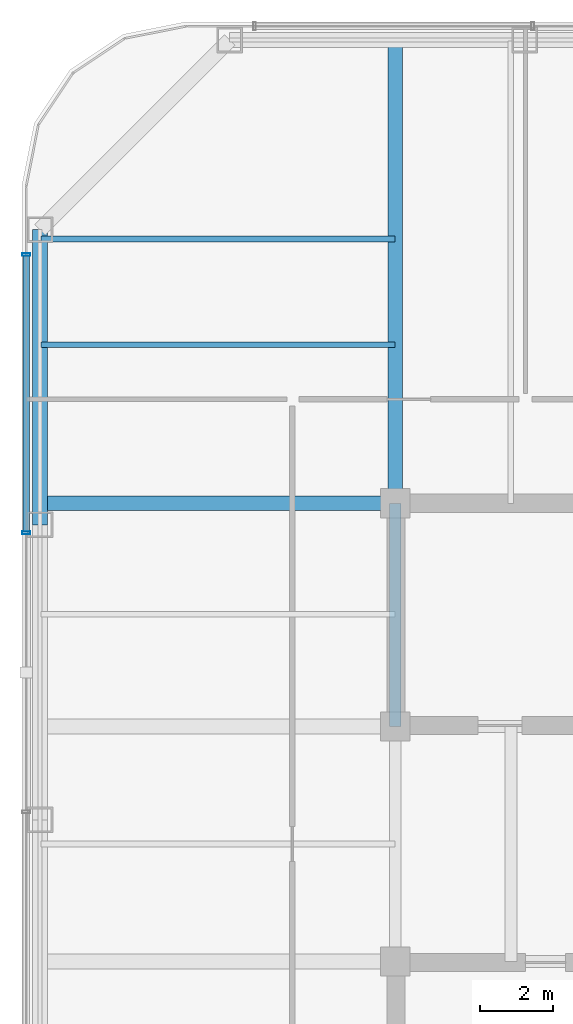
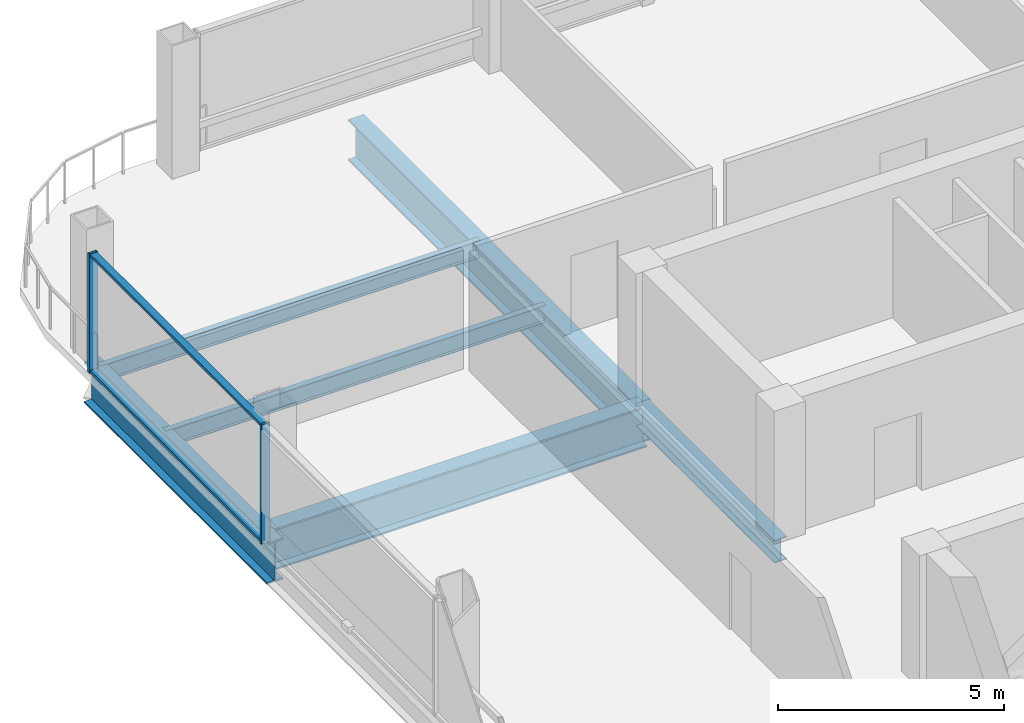
# One storey, part 6 of 19: 6 beams, 4 members, 1 element without a shape of its own.
"""IFC4 building model written with IfcOpenShell, lengths in metres."""

import ifcopenshell
import ifcopenshell.guid

model = None  # the IFC model being written
_history = None  # IfcOwnerHistory: only IFC2X3 demands one
_inside = {}  # id of a spatial element -> (the spatial element, [elements in it])
_under = {}  # id of a project, library or spatial element -> (it, [spatial elements below it])
_declared = {}  # id of a project -> (the project, [libraries it declares])
_typed = {}  # id of a type object -> (the type object, [elements of that type])
_made_of = {}  # id of a material, layer set ... -> (it, [elements and type objects made of it])


def new_model(schema):
    """Start an empty IFC model of exactly this schema.

    Asked for "IFC4X3", IfcOpenShell would pick the latest addendum, in which some entities
    have other attributes; the version numbers below select the first issue.
    IFC2X3 requires an IfcOwnerHistory on every rooted entity: one is made here for all.
    """
    global model, _history
    if schema == "IFC4X3":
        model = ifcopenshell.file(schema_version=(4, 3, 0, 0))
    else:
        model = ifcopenshell.file(schema=schema)
    _inside.clear()
    _under.clear()
    _declared.clear()
    _typed.clear()
    _made_of.clear()
    _history = None
    if model.schema == "IFC2X3":
        org = make("IfcOrganization", Name="unknown")
        user = make(
            "IfcPersonAndOrganization",
            ThePerson=make("IfcPerson", FamilyName="unknown"),
            TheOrganization=org,
        )
        app = make(
            "IfcApplication",
            ApplicationDeveloper=org,
            Version="unknown",
            ApplicationFullName="unknown",
            ApplicationIdentifier="unknown",
        )
        _history = make(
            "IfcOwnerHistory",
            OwningUser=user,
            OwningApplication=app,
            ChangeAction="ADDED",
            CreationDate=0,
        )
    return model


def make(cls, **values):
    """One entity of the class cls with the attributes given. An attribute that is None is left unset."""
    return model.create_entity(
        cls, **{name: value for name, value in values.items() if value is not None}
    )


def rooted(cls, **values):
    """An entity with a GlobalId (a new one), such as an element, a storey or a relation."""
    return make(cls, GlobalId=ifcopenshell.guid.new(), OwnerHistory=_history, **values)


def si_unit(unit_type, name, prefix=None):
    """IfcSIUnit, for example si_unit("LENGTHUNIT", "METRE", prefix="MILLI")."""
    return make("IfcSIUnit", UnitType=unit_type, Prefix=prefix, Name=name)


def assignment(units):
    """IfcUnitAssignment: the units of a project."""
    return None if units is None else make("IfcUnitAssignment", Units=units)


def point(xyz):
    """IfcCartesianPoint."""
    return None if xyz is None else make("IfcCartesianPoint", Coordinates=xyz)


def direction(xyz):
    """IfcDirection."""
    return None if xyz is None else make("IfcDirection", DirectionRatios=xyz)


def frame(location, z_axis=None, x_axis=None):
    """IfcAxis2Placement3D, a coordinate frame: its origin and axes. An axis left out is left unset."""
    return make(
        "IfcAxis2Placement3D",
        Location=point(location),
        Axis=direction(z_axis),
        RefDirection=direction(x_axis),
    )


def frame_2d(location, x_axis=None):
    """IfcAxis2Placement2D, a coordinate frame in the plane: its origin and x axis."""
    return make(
        "IfcAxis2Placement2D", Location=point(location), RefDirection=direction(x_axis)
    )


def origin():
    """The frame at (0, 0, 0) with its axes left unset."""
    return frame((0.0, 0.0, 0.0))


def origin_2d():
    """The frame at (0, 0) in the plane with its x axis left unset."""
    return frame_2d((0.0, 0.0))


def place(relative_to, where):
    """IfcLocalPlacement: puts the frame where relative to a parent placement (None: the world)."""
    return make(
        "IfcLocalPlacement", PlacementRelTo=relative_to, RelativePlacement=where
    )


def context(
    kind, dimensions, precision=None, world=None, true_north=None, identifier=None
):
    """IfcGeometricRepresentationContext, for example the 3D "Model" context."""
    return make(
        "IfcGeometricRepresentationContext",
        ContextIdentifier=identifier,
        ContextType=kind,
        CoordinateSpaceDimension=dimensions,
        Precision=precision,
        WorldCoordinateSystem=world,
        TrueNorth=true_north,
    )


def subcontext(parent, identifier, kind, view, scale=None):
    """IfcGeometricRepresentationSubContext, for example "Body" below "Model"."""
    return make(
        "IfcGeometricRepresentationSubContext",
        ContextIdentifier=identifier,
        ContextType=kind,
        ParentContext=parent,
        TargetScale=scale,
        TargetView=view,
    )


def project(units=None, contexts=None):
    """IfcProject with its units and contexts."""
    return rooted(
        "IfcProject",
        Name="project",
        RepresentationContexts=contexts,
        UnitsInContext=assignment(units),
    )


def spatial(cls, under=None, at=None, **own):
    """A site, building, storey or space (cls), placed at a placement, below another one or the project."""
    s = rooted(cls, ObjectPlacement=at, **own)
    if under is not None:
        _under.setdefault(under.id(), (under, []))[1].append(s)
    return s


def profile(cls, at=None, kind="AREA", **sizes):
    """A parametric profile (cls). Its sizes go by their IFC names, for example OverallWidth=200.0."""
    return make(cls, ProfileType=kind, Position=at, **sizes)


def hollow_rectangle(**sizes):
    """IfcRectangleHollowProfileDef."""
    return profile("IfcRectangleHollowProfileDef", **sizes)


def i_section(**sizes):
    """IfcIShapeProfileDef."""
    return profile("IfcIShapeProfileDef", **sizes)


def extrude(swept, where, along, depth):
    """IfcExtrudedAreaSolid: the profile swept, set in the frame where, extruded along a direction by depth."""
    return make(
        "IfcExtrudedAreaSolid",
        SweptArea=swept,
        Position=where,
        ExtrudedDirection=direction(along),
        Depth=depth,
    )


def shape(context_of_items, identifier, shape_type, items):
    """IfcShapeRepresentation: the items that make up one representation, for example the "Body"."""
    return make(
        "IfcShapeRepresentation",
        ContextOfItems=context_of_items,
        RepresentationIdentifier=identifier,
        RepresentationType=shape_type,
        Items=items,
    )


def material(Name=None, Category=None):
    """IfcMaterial."""
    return make("IfcMaterial", Name=Name, Category=Category)


def layer(
    of_material, thickness, ventilated=None, Name=None, Category=None, Priority=None
):
    """IfcMaterialLayer: one layer of a wall or slab, of a material (None: an air gap)."""
    return make(
        "IfcMaterialLayer",
        Material=of_material,
        LayerThickness=thickness,
        IsVentilated=ventilated,
        Name=Name,
        Category=Category,
        Priority=Priority,
    )


def layer_set(layers, Name=None):
    """IfcMaterialLayerSet."""
    return make("IfcMaterialLayerSet", MaterialLayers=layers, LayerSetName=Name)


def material_profile(
    of_material, cross_section, Name=None, Category=None, Priority=None
):
    """IfcMaterialProfile: a cross section and its material."""
    return make(
        "IfcMaterialProfile",
        Name=Name,
        Material=of_material,
        Profile=cross_section,
        Priority=Priority,
        Category=Category,
    )


def profile_set(profiles, Name=None, composite=None):
    """IfcMaterialProfileSet."""
    return make(
        "IfcMaterialProfileSet",
        Name=Name,
        MaterialProfiles=profiles,
        CompositeProfile=composite,
    )


def made_of(thing, what):
    """Note that an element or type object is made of a material, layer set ...; save() writes the relation."""
    if what is not None:
        _made_of.setdefault(what.id(), (what, []))[1].append(thing)
    return thing


def type_object(cls, material=None, **own):
    """A type object (cls), such as IfcWallType, which elements share."""
    return made_of(rooted(cls, **own), material)


def element(
    cls,
    number,
    at=None,
    inside=None,
    cuts=None,
    type_object=None,
    material=None,
    context=None,
    identifier="Body",
    shape_type=None,
    held_by="IfcProductDefinitionShape",
    body=None,
    shapes=None,
    **own,
):
    """One element of the class cls, such as IfcWall. Its Tag is "e" and its number.

    at: its placement. inside: the storey or other place that contains it. cuts: it is an
    opening in that element (IfcRelVoidsElement). A single representation is given by context,
    identifier, shape_type and body (its items); several are given by shapes. held_by: the class
    of the entity that holds the representations. save() writes the other relations.
    """
    e = rooted(cls, Tag="e%d" % number, ObjectPlacement=at, **own)
    if body is not None:
        shapes = [shape(context, identifier, shape_type, body)]
    if shapes is not None:
        e.Representation = make(held_by, Representations=shapes)
    if inside is not None:
        _inside.setdefault(inside.id(), (inside, []))[1].append(e)
    if cuts is not None:
        rooted(
            "IfcRelVoidsElement", RelatingBuildingElement=cuts, RelatedOpeningElement=e
        )
    if type_object is not None:
        _typed.setdefault(type_object.id(), (type_object, []))[1].append(e)
    return made_of(e, material)


def aggregate(whole, parts):
    """IfcRelAggregates: a whole, such as a stair, and the parts it consists of."""
    return rooted("IfcRelAggregates", RelatingObject=whole, RelatedObjects=parts)


def save(model, path):
    """Write the relations noted so far, then the file.

    IfcRelAggregates (storeys below a building ...), IfcRelContainedInSpatialStructure (elements
    in a storey), IfcRelDefinesByType, IfcRelAssociatesMaterial and IfcRelDeclares: one each for
    every whole, place, type object, material and project.
    """
    for whole, parts in _under.values():
        aggregate(whole, parts)
    for where, things in _inside.values():
        rooted(
            "IfcRelContainedInSpatialStructure",
            RelatedElements=things,
            RelatingStructure=where,
        )
    for kind, things in _typed.values():
        rooted("IfcRelDefinesByType", RelatedObjects=things, RelatingType=kind)
    for what, things in _made_of.values():
        rooted("IfcRelAssociatesMaterial", RelatedObjects=things, RelatingMaterial=what)
    for by, libraries in _declared.values():
        rooted("IfcRelDeclares", RelatingContext=by, RelatedDefinitions=libraries)
    model.write(path)


model = new_model("IFC4")

# Units and contexts
model_context = context("Model", 3, precision=1e-05, world=origin(), true_north=direction((0.0, 1.0)))
body_context = subcontext(model_context, "Body", "Model", "MODEL_VIEW")
ifc_project = project(units=[si_unit("LENGTHUNIT", "METRE"), si_unit("AREAUNIT", "SQUARE_METRE"), si_unit("VOLUMEUNIT", "CUBIC_METRE"), si_unit("PLANEANGLEUNIT", "RADIAN"), si_unit("MASSUNIT", "GRAM", prefix="KILO")], contexts=[model_context])

# Site, building, storey
site_placement = place(None, origin())
site = spatial("IfcSite", under=ifc_project, at=site_placement, CompositionType="ELEMENT")
building_placement = place(site_placement, origin())
building = spatial("IfcBuilding", under=site, at=building_placement, Name="Qhalaya Broadcast Tower", CompositionType="ELEMENT")
storey_placement = place(building_placement, frame((0.0, 0.0, 148.199951171875)))
storey = spatial("IfcBuildingStorey", under=building, at=storey_placement, Name="L43", CompositionType="ELEMENT", Elevation=148.199951171875)

# Beams
ifc_material_1 = material(Name="Structural Steel ASTM A992 Grade 50", Category="steel")
ifc_material_profile_1 = material_profile(ifc_material_1, i_section(OverallWidth=0.154052734375, OverallDepth=0.458984375, WebThickness=0.009033203125, FlangeThickness=0.015380859375, at=origin_2d()), Name="W18X46")
ifc_profile_set_1 = profile_set([ifc_material_profile_1], Name="Structural Steel ASTM A992 Grade 50")
beam_type_1 = type_object("IfcBeamType", Name="Composite Floor Joist J04", PredefinedType="JOIST", material=ifc_profile_set_1)
for number, where, z_axis, x_axis, name in (
    (1, (-19.10009765625, 14.300048828125, -0.449462890625), (1.0, 0.0, 0.0), (0.0, 1.0, 0.0), "L43 J04 L43-JWE6W-1"),
    (2, (-19.10009765625, 17.199951171875, -0.449462890625), (1.0, 0.0, 0.0), (0.0, 1.0, 0.0), "L43 J04 L43-JWE7W-1"),
):
    element("IfcBeam", number, at=place(storey_placement, frame(where, z_axis=z_axis, x_axis=x_axis)), inside=storey, type_object=beam_type_1, Name=name, PredefinedType="JOIST", context=body_context, shape_type="SweptSolid", body=[
        extrude(i_section(OverallWidth=0.154052734375, OverallDepth=0.458984375, WebThickness=0.009033203125, FlangeThickness=0.015380859375, at=origin_2d()), origin(), (0.0, 0.0, 1.0), 9.72509765625),
    ])
ifc_material_profile_2 = material_profile(ifc_material_1, i_section(OverallWidth=0.323974609375, OverallDepth=0.612060546875, WebThickness=0.0126953125, FlangeThickness=0.01904296875, at=origin_2d()), Name="W24X104")
ifc_profile_set_2 = profile_set([ifc_material_profile_2], Name="Structural Steel ASTM A992 Grade 50")
beam_type_2 = type_object("IfcBeamType", Name="Core Frame Tie Beam B04", PredefinedType="BEAM", material=ifc_profile_set_2)
beam_1_placement = place(storey_placement, frame((-9.375, 3.824951171875, -0.52587890625), z_axis=(0.0, 1.0, 0.0), x_axis=(-1.0, 0.0, 0.0)))
element("IfcBeam", 3, at=beam_1_placement, inside=storey, type_object=beam_type_2, Name="L43 B04 L43-CCN2", PredefinedType="BEAM", context=body_context, shape_type="SweptSolid", body=[
    extrude(i_section(OverallWidth=0.323974609375, OverallDepth=0.612060546875, WebThickness=0.0126953125, FlangeThickness=0.01904296875, at=origin_2d()), origin(), (0.0, 0.0, 1.0), 6.125),
])
ifc_material_profile_3 = material_profile(ifc_material_1, i_section(OverallWidth=0.404052734375, OverallDepth=1.117919921875, WebThickness=0.026123046875, FlangeThickness=0.044921875, at=origin_2d()), Name="W44X335")
ifc_profile_set_3 = profile_set([ifc_material_profile_3], Name="Structural Steel ASTM A992 Grade 50")
beam_type_3 = type_object("IfcBeamType", Name="Podium Long-Span Primary Girder PG1", PredefinedType="USERDEFINED", material=ifc_profile_set_3)
beam_2_placement = place(storey_placement, frame((-19.1201171875, 17.4599609375, -0.779052734375), z_axis=(0.0, -1.0, 0.0), x_axis=(1.0, 0.0, 0.0)))
element("IfcBeam", 4, at=beam_2_placement, inside=storey, type_object=beam_type_3, Name="L43 PG1 L43-SPR-13", ObjectType="GIRDER", PredefinedType="USERDEFINED", context=body_context, shape_type="SweptSolid", body=[
    extrude(i_section(OverallWidth=0.404052734375, OverallDepth=1.117919921875, WebThickness=0.026123046875, FlangeThickness=0.044921875, at=origin_2d()), origin(), (0.0, 0.0, 1.0), 8.099853515625),
])
beam_3_placement = place(storey_placement, frame((-9.375, 9.949951171875, -0.779052734375), z_axis=(0.0, 1.0, 0.0), x_axis=(-1.0, 0.0, 0.0)))
element("IfcBeam", 5, at=beam_3_placement, inside=storey, type_object=beam_type_3, Name="L43 PG1 L43-PGXN1-1", ObjectType="GIRDER", PredefinedType="USERDEFINED", context=body_context, shape_type="SweptSolid", body=[
    extrude(i_section(OverallWidth=0.404052734375, OverallDepth=1.117919921875, WebThickness=0.026123046875, FlangeThickness=0.044921875, at=origin_2d()), origin(), (0.0, 0.0, 1.0), 12.68994140625),
])
beam_4_placement = place(storey_placement, frame((-19.10009765625, 9.949951171875, -0.779052734375), z_axis=(1.0, 0.0, 0.0), x_axis=(0.0, 1.0, 0.0)))
element("IfcBeam", 6, at=beam_4_placement, inside=storey, type_object=beam_type_3, Name="L43 PG1 L43-PGYW4-1", ObjectType="GIRDER", PredefinedType="USERDEFINED", context=body_context, shape_type="SweptSolid", body=[
    extrude(i_section(OverallWidth=0.404052734375, OverallDepth=1.117919921875, WebThickness=0.026123046875, FlangeThickness=0.044921875, at=origin_2d()), origin(), (0.0, 0.0, 1.0), 9.72509765625),
])

# Curtain wall, members
ifc_material_2 = material(Name="Solar-Control Low-E Triple Glazing", Category="glass")
ifc_layer = layer(ifc_material_2, 0.219970703125, Name="Solar-Control Low-E Triple Glazing")
ifc_layer_set = layer_set([ifc_layer], Name="Solar-Control Low-E Triple Glazing")
curtain_wall_type = type_object("IfcCurtainWallType", Name="Recessed Sky-Garden Neck Ribbon Curtain Wall CW-05", PredefinedType="NOTDEFINED", material=ifc_layer_set)
curtain_wall_placement = place(storey_placement, origin())
curtain_wall = element("IfcCurtainWall", 7, at=curtain_wall_placement, inside=storey, type_object=curtain_wall_type, Name="L43 Unitised Curtain Wall L43-CW-W", PredefinedType="NOTDEFINED")
ifc_material_3 = material(Name="Anodised Aluminium 6063-T6", Category="aluminium")
ifc_material_profile_4 = material_profile(ifc_material_3, hollow_rectangle(XDim=0.074951171875, YDim=0.219970703125, WallThickness=0.00390625, at=origin_2d()), Name="ALU-MUL 75x220x4")
ifc_profile_set_4 = profile_set([ifc_material_profile_4], Name="Anodised Aluminium 6063-T6")
member_type_1 = type_object("IfcMemberType", Name="Unitised Curtain-Wall Mullion M01", PredefinedType="MULLION", material=ifc_profile_set_4)
member_1_placement = place(storey_placement, frame((-19.5, 16.7724609375, 0.0), z_axis=(0.0, 0.0, 1.0), x_axis=(0.0, -1.0, 0.0)))
member_1 = element("IfcMember", 8, at=member_1_placement, type_object=member_type_1, Name="CW-05 mullion 1", PredefinedType="MULLION", context=body_context, shape_type="SweptSolid", body=[
    extrude(hollow_rectangle(XDim=0.074951171875, YDim=0.219970703125, WallThickness=0.00390625, at=origin_2d()), origin(), (0.0, 0.0, 1.0), 3.219970703125),
])
member_2_placement = place(storey_placement, frame((-19.5, 9.143310546875, 0.0), z_axis=(0.0, 0.0, 1.0), x_axis=(0.0, -1.0, 0.0)))
member_2 = element("IfcMember", 9, at=member_2_placement, type_object=member_type_1, Name="CW-05 mullion 2", PredefinedType="MULLION", context=body_context, shape_type="SweptSolid", body=[
    extrude(hollow_rectangle(XDim=0.074951171875, YDim=0.219970703125, WallThickness=0.00390625, at=origin_2d()), origin(), (0.0, 0.0, 1.0), 3.219970703125),
])
ifc_material_profile_5 = material_profile(ifc_material_3, hollow_rectangle(XDim=0.074951171875, YDim=0.179931640625, WallThickness=0.00390625, at=origin_2d()), Name="ALU-TRN 75x180x4")
ifc_profile_set_5 = profile_set([ifc_material_profile_5], Name="Anodised Aluminium 6063-T6")
member_type_2 = type_object("IfcMemberType", Name="Unitised Curtain-Wall Transom T01", PredefinedType="USERDEFINED", material=ifc_profile_set_5)
member_3_placement = place(storey_placement, frame((-19.5, 16.735107421875, 0.03759765625), z_axis=(0.0, -1.0, 0.0), x_axis=(0.0, 0.0, 1.0)))
member_3 = element("IfcMember", 10, at=member_3_placement, type_object=member_type_2, Name="CW-05 transom 1.1", ObjectType="TRANSOM", PredefinedType="USERDEFINED", context=body_context, shape_type="SweptSolid", body=[
    extrude(hollow_rectangle(XDim=0.074951171875, YDim=0.179931640625, WallThickness=0.00390625, at=origin_2d()), origin(), (0.0, 0.0, 1.0), 7.55419921875),
])
member_4_placement = place(storey_placement, frame((-19.5, 16.735107421875, 3.1826171875), z_axis=(0.0, -1.0, 0.0), x_axis=(0.0, 0.0, 1.0)))
member_4 = element("IfcMember", 11, at=member_4_placement, type_object=member_type_2, Name="CW-05 transom 1.2", ObjectType="TRANSOM", PredefinedType="USERDEFINED", context=body_context, shape_type="SweptSolid", body=[
    extrude(hollow_rectangle(XDim=0.074951171875, YDim=0.179931640625, WallThickness=0.00390625, at=origin_2d()), origin(), (0.0, 0.0, 1.0), 7.55419921875),
])
aggregate(curtain_wall, [member_1, member_2, member_3, member_4])

save(model, "model.ifc")
